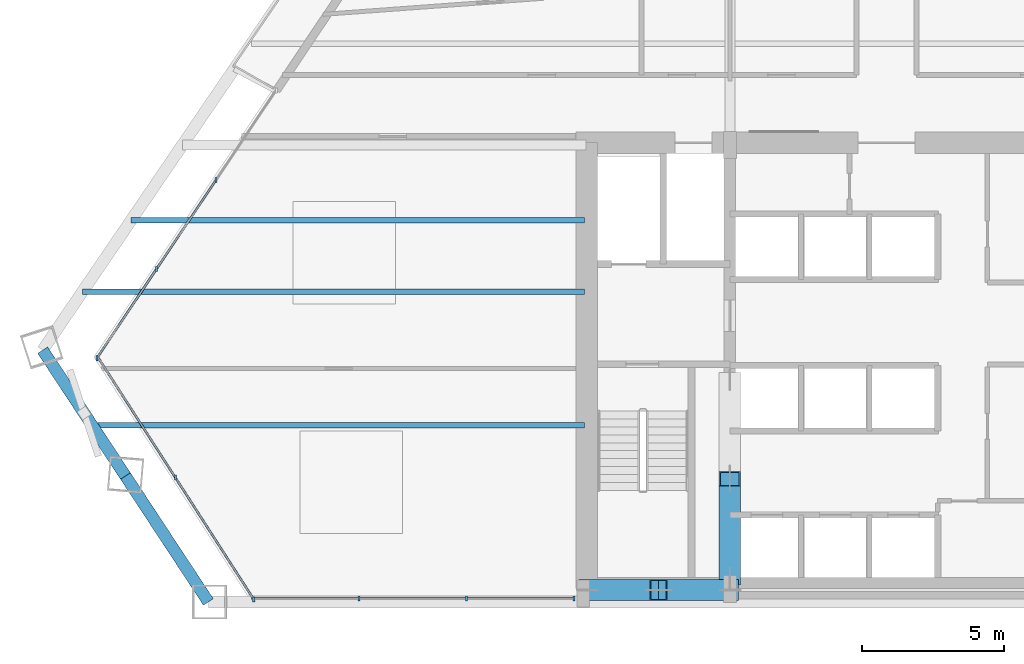
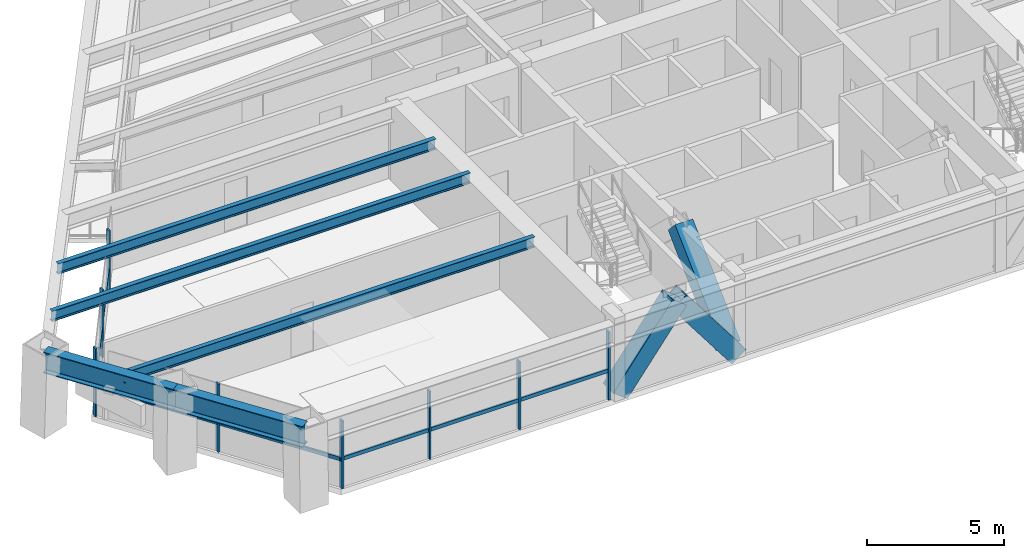
# One storey, part 2 of 14: 18 members, 5 beams, 3 elements without a shape of their own.
"""IFC4 building model written with IfcOpenShell, lengths in metres."""

from ifc_helpers import new_model, si_unit, direction, frame, origin, origin_2d, place, context, subcontext, project, spatial, rectangle, hollow_rectangle, i_section, extrude, source, transform, mapped, material, material_profile, profile_set, type_object, type_shapes, element, aggregate, save


model = new_model("IFC4")

# Units and contexts
model_context = context("Model", 3, precision=1e-05, world=origin(), true_north=direction((0.0, 1.0)))
body_context = subcontext(model_context, "Body", "Model", "MODEL_VIEW")
ifc_project = project(units=[si_unit("LENGTHUNIT", "METRE"), si_unit("AREAUNIT", "SQUARE_METRE"), si_unit("VOLUMEUNIT", "CUBIC_METRE"), si_unit("PLANEANGLEUNIT", "RADIAN"), si_unit("MASSUNIT", "GRAM", prefix="KILO")], contexts=[model_context])

# Site, building, storey
site_placement = place(None, origin())
site = spatial("IfcSite", under=ifc_project, at=site_placement, CompositionType="ELEMENT")
building_placement = place(site_placement, origin())
building = spatial("IfcBuilding", under=site, at=building_placement, Name="Varnakhor Terracotta Tower", CompositionType="ELEMENT")
storey_placement = place(building_placement, frame((0.0, 0.0, 106.199951171875)))
storey = spatial("IfcBuildingStorey", under=building, at=storey_placement, Name="L26", CompositionType="ELEMENT", Elevation=106.199951171875)

# Members
ifc_material_1 = material(Name="Steel S460", Category="steel")
ifc_material_profile_1 = material_profile(ifc_material_1, hollow_rectangle(XDim=0.75, YDim=0.75, WallThickness=0.044921875, at=origin_2d()), Name="HSS750X750X45")
ifc_profile_set_1 = profile_set([ifc_material_profile_1], Name="Steel S460")
member_type_1 = type_object("IfcMemberType", Name="MBR-MEGA-750", PredefinedType="BRACE", material=ifc_profile_set_1)
shared_shape_1 = source(origin(), body_context, "Body", "SweptSolid", [
    extrude(hollow_rectangle(XDim=0.75, YDim=0.75, WallThickness=0.044921875, at=origin_2d()), origin(), (0.0, 0.0, 1.0), 4.14013671875),
])
type_shapes(member_type_1, [shared_shape_1])
for number, where, z_axis, x_axis, name in (
    (1, (-10.5, 0.419921875, 0.0), (0.603852011179, 0.0, 0.797096448741), (0.0, 1.0, 0.0), "L26 Core Coupled Brace CSWA"),
    (2, (-5.5, 0.419921875, 0.0), (-0.603852011179, 0.0, 0.797096448741), (0.0, -1.0, 0.0), "L26 Core Coupled Brace CSWB"),
):
    element("IfcMember", number, at=place(storey_placement, frame(where, z_axis=z_axis, x_axis=x_axis)), inside=storey, type_object=member_type_1, Name=name, PredefinedType="BRACE", context=body_context, shape_type="MappedRepresentation", body=[
        mapped(shared_shape_1, transform((0.0, 0.0, 0.0), scale=1.0)),
    ])
shared_shape_2 = source(origin(), body_context, "Body", "SweptSolid", [
    extrude(hollow_rectangle(XDim=0.75, YDim=0.75, WallThickness=0.044921875, at=origin_2d()), origin(), (0.0, 0.0, 1.0), 4.792236328125),
])
member_1_placement = place(storey_placement, frame((-5.5, 0.85009765625, 0.0), z_axis=(0.0, 0.725110085518, 0.688632967466), x_axis=(-1.0, 0.0, 0.0)))
element("IfcMember", 3, at=member_1_placement, inside=storey, type_object=member_type_1, Name="L26 Core Coupled Brace CWWA", PredefinedType="BRACE", context=body_context, shape_type="MappedRepresentation", body=[
    mapped(shared_shape_2, transform((0.0, 0.0, 0.0), scale=1.0)),
])

# Beams
ifc_material_2 = material(Name="Steel S355", Category="steel")
ifc_material_profile_2 = material_profile(ifc_material_2, i_section(OverallWidth=0.41796875, OverallDepth=0.927001953125, WebThickness=0.01904296875, FlangeThickness=0.031982421875, FilletRadius=0.01806640625, at=origin_2d()), Name="W36X231")
ifc_profile_set_2 = profile_set([ifc_material_profile_2], Name="Steel S355")
beam_type_1 = type_object("IfcBeamType", Name="BM-W36X231", PredefinedType="BEAM", material=ifc_profile_set_2)
shared_shape_3 = source(origin(), body_context, "Body", "SweptSolid", [
    extrude(i_section(OverallWidth=0.41796875, OverallDepth=0.927001953125, WebThickness=0.01904296875, FlangeThickness=0.031982421875, FilletRadius=0.01806640625, at=origin_2d()), origin(), (0.0, 0.0, 1.0), 5.2919921875),
])
beam_1_placement = place(storey_placement, frame((-29.6298828125, 8.841552734375, 2.986572265625), z_axis=(0.549729188466, -0.835342935176, 0.0), x_axis=(0.835342935176, 0.549729188466, 0.0)))
element("IfcBeam", 4, at=beam_1_placement, inside=storey, type_object=beam_type_1, Name="L26 Perimeter Spandrel 7", PredefinedType="BEAM", context=body_context, shape_type="MappedRepresentation", body=[
    mapped(shared_shape_3, transform((0.0, 0.0, 0.0), scale=1.0)),
])
shared_shape_4 = source(origin(), body_context, "Body", "SweptSolid", [
    extrude(i_section(OverallWidth=0.41796875, OverallDepth=0.927001953125, WebThickness=0.01904296875, FlangeThickness=0.031982421875, FilletRadius=0.01806640625, at=origin_2d()), origin(), (0.0, 0.0, 1.0), 5.29248046875),
])
beam_2_placement = place(storey_placement, frame((-26.720703125, 4.4208984375, 2.986572265625), z_axis=(0.549740194544, -0.835335692104, 0.0), x_axis=(0.835335692104, 0.549740194544, 0.0)))
element("IfcBeam", 5, at=beam_2_placement, inside=storey, type_object=beam_type_1, Name="L26 Perimeter Spandrel 8", PredefinedType="BEAM", context=body_context, shape_type="MappedRepresentation", body=[
    mapped(shared_shape_4, transform((0.0, 0.0, 0.0), scale=1.0)),
])
ifc_material_profile_3 = material_profile(ifc_material_2, i_section(OverallWidth=0.19189453125, OverallDepth=0.462890625, WebThickness=0.010498046875, FlangeThickness=0.017578125, FilletRadius=0.01806640625, at=origin_2d()), Name="W18X60")
ifc_profile_set_3 = profile_set([ifc_material_profile_3], Name="Steel S355")
beam_type_2 = type_object("IfcBeamType", Name="JST-W18X60", PredefinedType="JOIST", material=ifc_profile_set_3)
shared_shape_5 = source(origin(), body_context, "Body", "SweptSolid", [
    extrude(i_section(OverallWidth=0.19189453125, OverallDepth=0.462890625, WebThickness=0.010498046875, FlangeThickness=0.017578125, FilletRadius=0.01806640625, at=origin_2d()), origin(), (0.0, 0.0, 1.0), 17.29150390625),
])
beam_3_placement = place(storey_placement, frame((-27.8916015625, 6.199951171875, 3.218505859375), z_axis=(1.0, 0.0, 0.0), x_axis=(0.0, 1.0, 0.0)))
element("IfcBeam", 6, at=beam_3_placement, inside=storey, type_object=beam_type_2, Name="L26 Floor Joist W1", PredefinedType="JOIST", context=body_context, shape_type="MappedRepresentation", body=[
    mapped(shared_shape_5, transform((0.0, 0.0, 0.0), scale=1.0)),
])
shared_shape_6 = source(origin(), body_context, "Body", "SweptSolid", [
    extrude(i_section(OverallWidth=0.19189453125, OverallDepth=0.462890625, WebThickness=0.010498046875, FlangeThickness=0.017578125, FilletRadius=0.01806640625, at=origin_2d()), origin(), (0.0, 0.0, 1.0), 17.627685546875),
])
beam_4_placement = place(storey_placement, frame((-28.227783203125, 10.89990234375, 3.218505859375), z_axis=(1.0, 0.0, 0.0), x_axis=(0.0, 1.0, 0.0)))
element("IfcBeam", 7, at=beam_4_placement, inside=storey, type_object=beam_type_2, Name="L26 Floor Joist W2", PredefinedType="JOIST", context=body_context, shape_type="MappedRepresentation", body=[
    mapped(shared_shape_6, transform((0.0, 0.0, 0.0), scale=1.0)),
])
shared_shape_7 = source(origin(), body_context, "Body", "SweptSolid", [
    extrude(i_section(OverallWidth=0.19189453125, OverallDepth=0.462890625, WebThickness=0.010498046875, FlangeThickness=0.017578125, FilletRadius=0.01806640625, at=origin_2d()), origin(), (0.0, 0.0, 1.0), 15.924560546875),
])
beam_5_placement = place(storey_placement, frame((-26.524658203125, 13.39990234375, 3.218505859375), z_axis=(1.0, 0.0, 0.0), x_axis=(0.0, 1.0, 0.0)))
element("IfcBeam", 8, at=beam_5_placement, inside=storey, type_object=beam_type_2, Name="L26 Floor Joist W3", PredefinedType="JOIST", context=body_context, shape_type="MappedRepresentation", body=[
    mapped(shared_shape_7, transform((0.0, 0.0, 0.0), scale=1.0)),
])

# Curtain wall, members
ifc_material_3 = material(Name="Anodised Aluminium Curtain Wall System", Category="aluminium")
curtain_wall_type = type_object("IfcCurtainWallType", Name="CW-SYS-LOW-OFFICE", PredefinedType="NOTDEFINED", material=ifc_material_3)
curtain_wall_1_placement = place(storey_placement, origin())
curtain_wall_1 = element("IfcCurtainWall", 9, at=curtain_wall_1_placement, inside=storey, type_object=curtain_wall_type, Name="L26 W Facet Curtain Wall 1", PredefinedType="NOTDEFINED")
ifc_material_4 = material(Name="Anodised Aluminium 6063-T6", Category="aluminium")
ifc_material_profile_4 = material_profile(ifc_material_4, rectangle(XDim=0.074951171875, YDim=0.18505859375, at=origin_2d()), Name="ALU MULLION 75x185")
ifc_profile_set_4 = profile_set([ifc_material_profile_4], Name="Anodised Aluminium 6063-T6")
member_type_2 = type_object("IfcMemberType", Name="CWM-02", PredefinedType="MULLION", material=ifc_profile_set_4)
shared_shape_8 = source(origin(), body_context, "Body", "SweptSolid", [
    extrude(rectangle(XDim=0.074951171875, YDim=0.18505859375, at=origin_2d()), origin(), (0.0, 0.0, 1.0), 3.030029296875),
])
type_shapes(member_type_2, [shared_shape_8])
member_2_placement = place(storey_placement, frame((-27.722900390625, 8.561767578125, 0.0), z_axis=(0.0, 0.0, 1.0), x_axis=(1.0, 0.0, 0.0)))
member_2 = element("IfcMember", 10, at=member_2_placement, type_object=member_type_2, Name="L26 W Facet Curtain Wall 1 Mullion 1", PredefinedType="MULLION", context=body_context, shape_type="MappedRepresentation", body=[
    mapped(shared_shape_8, transform((0.0, 0.0, 0.0), scale=1.0)),
])
member_3_placement = place(storey_placement, frame((-25.63232421875, 11.689208984375, 0.0), z_axis=(0.0, 0.0, 1.0), x_axis=(1.0, 0.0, 0.0)))
member_3 = element("IfcMember", 11, at=member_3_placement, type_object=member_type_2, Name="L26 W Facet Curtain Wall 1 Mullion 2", PredefinedType="MULLION", context=body_context, shape_type="MappedRepresentation", body=[
    mapped(shared_shape_8, transform((0.0, 0.0, 0.0), scale=1.0)),
])
member_4_placement = place(storey_placement, frame((-23.5419921875, 14.81689453125, 0.0), z_axis=(0.0, 0.0, 1.0), x_axis=(1.0, 0.0, 0.0)))
member_4 = element("IfcMember", 12, at=member_4_placement, type_object=member_type_2, Name="L26 W Facet Curtain Wall 1 Mullion 3", PredefinedType="MULLION", context=body_context, shape_type="MappedRepresentation", body=[
    mapped(shared_shape_8, transform((0.0, 0.0, 0.0), scale=1.0)),
])

curtain_wall_2_placement = place(storey_placement, origin())
curtain_wall_2 = element("IfcCurtainWall", 13, at=curtain_wall_2_placement, inside=storey, type_object=curtain_wall_type, Name="L26 South Wing Curtain Wall SSW", PredefinedType="NOTDEFINED")
member_5_placement = place(storey_placement, frame((-10.969970703125, 0.1201171875, 0.0), z_axis=(0.0, 0.0, 1.0), x_axis=(1.0, 0.0, 0.0)))
member_5 = element("IfcMember", 14, at=member_5_placement, type_object=member_type_2, Name="L26 South Wing Curtain Wall SSW Mullion 1", PredefinedType="MULLION", context=body_context, shape_type="MappedRepresentation", body=[
    mapped(shared_shape_8, transform((0.0, 0.0, 0.0), scale=1.0)),
])
member_6_placement = place(storey_placement, frame((-14.74365234375, 0.1201171875, 0.0), z_axis=(0.0, 0.0, 1.0), x_axis=(1.0, 0.0, 0.0)))
member_6 = element("IfcMember", 15, at=member_6_placement, type_object=member_type_2, Name="L26 South Wing Curtain Wall SSW Mullion 2", PredefinedType="MULLION", context=body_context, shape_type="MappedRepresentation", body=[
    mapped(shared_shape_8, transform((0.0, 0.0, 0.0), scale=1.0)),
])
member_7_placement = place(storey_placement, frame((-18.517333984375, 0.1201171875, 0.0), z_axis=(0.0, 0.0, 1.0), x_axis=(1.0, 0.0, 0.0)))
member_7 = element("IfcMember", 16, at=member_7_placement, type_object=member_type_2, Name="L26 South Wing Curtain Wall SSW Mullion 3", PredefinedType="MULLION", context=body_context, shape_type="MappedRepresentation", body=[
    mapped(shared_shape_8, transform((0.0, 0.0, 0.0), scale=1.0)),
])

curtain_wall_3_placement = place(storey_placement, origin())
curtain_wall_3 = element("IfcCurtainWall", 17, at=curtain_wall_3_placement, inside=storey, type_object=curtain_wall_type, Name="L26 Facet Curtain Wall 6", PredefinedType="NOTDEFINED")
member_8_placement = place(storey_placement, frame((-22.21630859375, 0.090087890625, 0.0), z_axis=(0.0, 0.0, 1.0), x_axis=(1.0, 0.0, 0.0)))
member_8 = element("IfcMember", 18, at=member_8_placement, type_object=member_type_2, Name="L26 Facet Curtain Wall 6 Mullion 1", PredefinedType="MULLION", context=body_context, shape_type="MappedRepresentation", body=[
    mapped(shared_shape_8, transform((0.0, 0.0, 0.0), scale=1.0)),
])
member_9_placement = place(storey_placement, frame((-24.96923828125, 4.36669921875, 0.0), z_axis=(0.0, 0.0, 1.0), x_axis=(1.0, 0.0, 0.0)))
member_9 = element("IfcMember", 19, at=member_9_placement, type_object=member_type_2, Name="L26 Facet Curtain Wall 6 Mullion 2", PredefinedType="MULLION", context=body_context, shape_type="MappedRepresentation", body=[
    mapped(shared_shape_8, transform((0.0, 0.0, 0.0), scale=1.0)),
])

# Member
ifc_material_profile_5 = material_profile(ifc_material_4, rectangle(XDim=0.074951171875, YDim=0.1650390625, at=origin_2d()), Name="ALU TRANSOM 75x165")
ifc_profile_set_5 = profile_set([ifc_material_profile_5], Name="Anodised Aluminium 6063-T6")
member_type_3 = type_object("IfcMemberType", Name="CWT-02", PredefinedType="USERDEFINED", material=ifc_profile_set_5)
shared_shape_9 = source(origin(), body_context, "Body", "SweptSolid", [
    extrude(rectangle(XDim=0.074951171875, YDim=0.1650390625, at=origin_2d()), origin(), (0.0, 0.0, 1.0), 3.76171875),
])
member_10_placement = place(storey_placement, frame((-27.722900390625, 8.561767578125, 1.272705078125), z_axis=(0.555733165804, 0.831360721003, 0.0), x_axis=(-0.831360721003, 0.555733165804, 0.0)))
member_10 = element("IfcMember", 20, at=member_10_placement, type_object=member_type_3, Name="L26 W Facet Curtain Wall 1 Transom 1", ObjectType="TRANSOM", PredefinedType="USERDEFINED", context=body_context, shape_type="MappedRepresentation", body=[
    mapped(shared_shape_9, transform((0.0, 0.0, 0.0), scale=1.0)),
])

shared_shape_10 = source(origin(), body_context, "Body", "SweptSolid", [
    extrude(rectangle(XDim=0.074951171875, YDim=0.1650390625, at=origin_2d()), origin(), (0.0, 0.0, 1.0), 3.761962890625),
])
member_11_placement = place(storey_placement, frame((-25.63232421875, 11.689208984375, 1.272705078125), z_axis=(0.555658324554, 0.83141074467, 0.0), x_axis=(-0.83141074467, 0.555658324554, 0.0)))
member_11 = element("IfcMember", 21, at=member_11_placement, type_object=member_type_3, Name="L26 W Facet Curtain Wall 1 Transom 2", ObjectType="TRANSOM", PredefinedType="USERDEFINED", context=body_context, shape_type="MappedRepresentation", body=[
    mapped(shared_shape_10, transform((0.0, 0.0, 0.0), scale=1.0)),
])

aggregate(curtain_wall_1, [member_2, member_10, member_3, member_11, member_4])

shared_shape_11 = source(origin(), body_context, "Body", "SweptSolid", [
    extrude(rectangle(XDim=0.074951171875, YDim=0.1650390625, at=origin_2d()), origin(), (0.0, 0.0, 1.0), 3.773681640625),
])
member_12_placement = place(storey_placement, frame((-10.969970703125, 0.1201171875, 1.272705078125), z_axis=(-1.0, 0.0, 0.0), x_axis=(0.0, -1.0, 0.0)))
member_12 = element("IfcMember", 22, at=member_12_placement, type_object=member_type_3, Name="L26 South Wing Curtain Wall SSW Transom 1", ObjectType="TRANSOM", PredefinedType="USERDEFINED", context=body_context, shape_type="MappedRepresentation", body=[
    mapped(shared_shape_11, transform((0.0, 0.0, 0.0), scale=1.0)),
])

member_13_placement = place(storey_placement, frame((-14.74365234375, 0.1201171875, 1.272705078125), z_axis=(-1.0, 0.0, 0.0), x_axis=(0.0, -1.0, 0.0)))
member_13 = element("IfcMember", 23, at=member_13_placement, type_object=member_type_3, Name="L26 South Wing Curtain Wall SSW Transom 2", ObjectType="TRANSOM", PredefinedType="USERDEFINED", context=body_context, shape_type="MappedRepresentation", body=[
    mapped(shared_shape_11, transform((0.0, 0.0, 0.0), scale=1.0)),
])

member_14_placement = place(storey_placement, frame((-18.517333984375, 0.1201171875, 1.272705078125), z_axis=(-1.0, 0.0, 0.0), x_axis=(0.0, -1.0, 0.0)))
member_14 = element("IfcMember", 24, at=member_14_placement, type_object=member_type_3, Name="L26 South Wing Curtain Wall SSW Transom 3", ObjectType="TRANSOM", PredefinedType="USERDEFINED", context=body_context, shape_type="MappedRepresentation", body=[
    mapped(shared_shape_11, transform((0.0, 0.0, 0.0), scale=1.0)),
])

aggregate(curtain_wall_2, [member_5, member_12, member_6, member_13, member_7, member_14])

shared_shape_12 = source(origin(), body_context, "Body", "SweptSolid", [
    extrude(rectangle(XDim=0.074951171875, YDim=0.1650390625, at=origin_2d()), origin(), (0.0, 0.0, 1.0), 5.086181640625),
])
member_15_placement = place(storey_placement, frame((-22.21630859375, 0.090087890625, 1.272705078125), z_axis=(-0.541269395893, 0.840849238015, 0.0), x_axis=(-0.840849238015, -0.541269395893, 0.0)))
member_15 = element("IfcMember", 25, at=member_15_placement, type_object=member_type_3, Name="L26 Facet Curtain Wall 6 Transom 1", ObjectType="TRANSOM", PredefinedType="USERDEFINED", context=body_context, shape_type="MappedRepresentation", body=[
    mapped(shared_shape_12, transform((0.0, 0.0, 0.0), scale=1.0)),
])

member_16_placement = place(storey_placement, frame((-24.96923828125, 4.36669921875, 1.272705078125), z_axis=(-0.541269395893, 0.840849238015, 0.0), x_axis=(-0.840849238015, -0.541269395893, 0.0)))
member_16 = element("IfcMember", 26, at=member_16_placement, type_object=member_type_3, Name="L26 Facet Curtain Wall 6 Transom 2", ObjectType="TRANSOM", PredefinedType="USERDEFINED", context=body_context, shape_type="MappedRepresentation", body=[
    mapped(shared_shape_12, transform((0.0, 0.0, 0.0), scale=1.0)),
])

aggregate(curtain_wall_3, [member_8, member_15, member_9, member_16])

save(model, "model.ifc")
